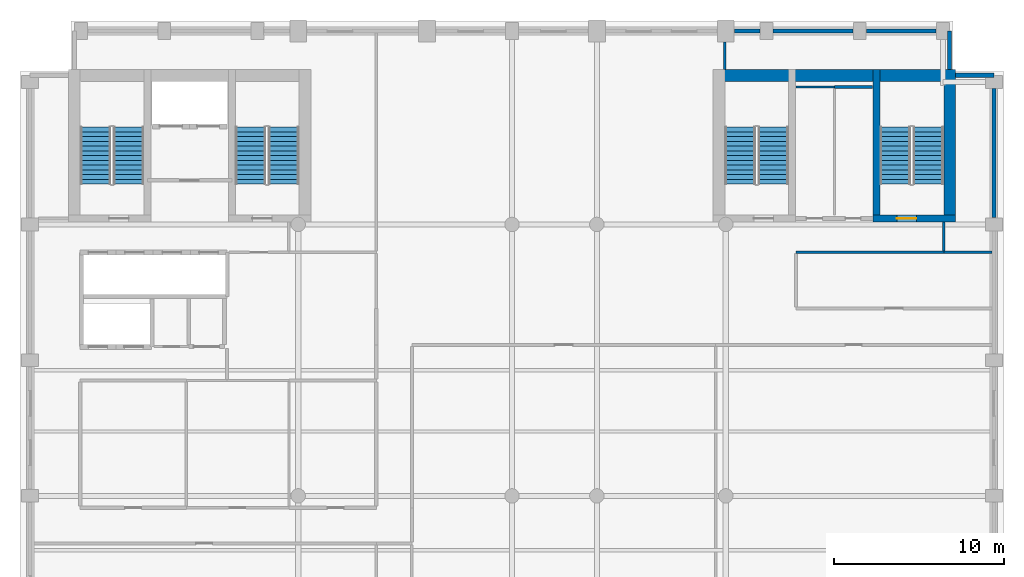
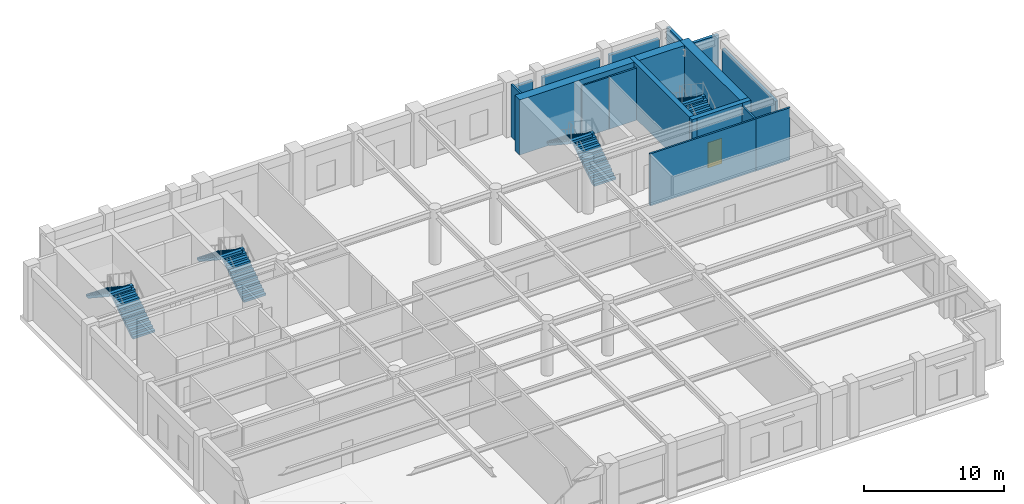
# One storey, part 7 of 10: 16 walls, 8 stair flights, 1 door, 1 opening, 4 elements without a shape of their own.
"""IFC4 building model written with IfcOpenShell, lengths in metres."""

import ifcopenshell
import ifcopenshell.guid

model = None  # the IFC model being written
_history = None  # IfcOwnerHistory: only IFC2X3 demands one
_inside = {}  # id of a spatial element -> (the spatial element, [elements in it])
_under = {}  # id of a project, library or spatial element -> (it, [spatial elements below it])
_declared = {}  # id of a project -> (the project, [libraries it declares])
_typed = {}  # id of a type object -> (the type object, [elements of that type])
_made_of = {}  # id of a material, layer set ... -> (it, [elements and type objects made of it])


def new_model(schema):
    """Start an empty IFC model of exactly this schema.

    Asked for "IFC4X3", IfcOpenShell would pick the latest addendum, in which some entities
    have other attributes; the version numbers below select the first issue.
    IFC2X3 requires an IfcOwnerHistory on every rooted entity: one is made here for all.
    """
    global model, _history
    if schema == "IFC4X3":
        model = ifcopenshell.file(schema_version=(4, 3, 0, 0))
    else:
        model = ifcopenshell.file(schema=schema)
    _inside.clear()
    _under.clear()
    _declared.clear()
    _typed.clear()
    _made_of.clear()
    _history = None
    if model.schema == "IFC2X3":
        org = make("IfcOrganization", Name="unknown")
        user = make(
            "IfcPersonAndOrganization",
            ThePerson=make("IfcPerson", FamilyName="unknown"),
            TheOrganization=org,
        )
        app = make(
            "IfcApplication",
            ApplicationDeveloper=org,
            Version="unknown",
            ApplicationFullName="unknown",
            ApplicationIdentifier="unknown",
        )
        _history = make(
            "IfcOwnerHistory",
            OwningUser=user,
            OwningApplication=app,
            ChangeAction="ADDED",
            CreationDate=0,
        )
    return model


def make(cls, **values):
    """One entity of the class cls with the attributes given. An attribute that is None is left unset."""
    return model.create_entity(
        cls, **{name: value for name, value in values.items() if value is not None}
    )


def rooted(cls, **values):
    """An entity with a GlobalId (a new one), such as an element, a storey or a relation."""
    return make(cls, GlobalId=ifcopenshell.guid.new(), OwnerHistory=_history, **values)


def si_unit(unit_type, name, prefix=None):
    """IfcSIUnit, for example si_unit("LENGTHUNIT", "METRE", prefix="MILLI")."""
    return make("IfcSIUnit", UnitType=unit_type, Prefix=prefix, Name=name)


def assignment(units):
    """IfcUnitAssignment: the units of a project."""
    return None if units is None else make("IfcUnitAssignment", Units=units)


def point(xyz):
    """IfcCartesianPoint."""
    return None if xyz is None else make("IfcCartesianPoint", Coordinates=xyz)


def direction(xyz):
    """IfcDirection."""
    return None if xyz is None else make("IfcDirection", DirectionRatios=xyz)


def frame(location, z_axis=None, x_axis=None):
    """IfcAxis2Placement3D, a coordinate frame: its origin and axes. An axis left out is left unset."""
    return make(
        "IfcAxis2Placement3D",
        Location=point(location),
        Axis=direction(z_axis),
        RefDirection=direction(x_axis),
    )


def frame_2d(location, x_axis=None):
    """IfcAxis2Placement2D, a coordinate frame in the plane: its origin and x axis."""
    return make(
        "IfcAxis2Placement2D", Location=point(location), RefDirection=direction(x_axis)
    )


def origin():
    """The frame at (0, 0, 0) with its axes left unset."""
    return frame((0.0, 0.0, 0.0))


def place(relative_to, where):
    """IfcLocalPlacement: puts the frame where relative to a parent placement (None: the world)."""
    return make(
        "IfcLocalPlacement", PlacementRelTo=relative_to, RelativePlacement=where
    )


def context(
    kind, dimensions, precision=None, world=None, true_north=None, identifier=None
):
    """IfcGeometricRepresentationContext, for example the 3D "Model" context."""
    return make(
        "IfcGeometricRepresentationContext",
        ContextIdentifier=identifier,
        ContextType=kind,
        CoordinateSpaceDimension=dimensions,
        Precision=precision,
        WorldCoordinateSystem=world,
        TrueNorth=true_north,
    )


def subcontext(parent, identifier, kind, view, scale=None):
    """IfcGeometricRepresentationSubContext, for example "Body" below "Model"."""
    return make(
        "IfcGeometricRepresentationSubContext",
        ContextIdentifier=identifier,
        ContextType=kind,
        ParentContext=parent,
        TargetScale=scale,
        TargetView=view,
    )


def project(units=None, contexts=None):
    """IfcProject with its units and contexts."""
    return rooted(
        "IfcProject",
        Name="project",
        RepresentationContexts=contexts,
        UnitsInContext=assignment(units),
    )


def spatial(cls, under=None, at=None, **own):
    """A site, building, storey or space (cls), placed at a placement, below another one or the project."""
    s = rooted(cls, ObjectPlacement=at, **own)
    if under is not None:
        _under.setdefault(under.id(), (under, []))[1].append(s)
    return s


def polyline(points):
    """IfcPolyline through the points."""
    return make("IfcPolyline", Points=[point(p) for p in points])


def profile(cls, at=None, kind="AREA", **sizes):
    """A parametric profile (cls). Its sizes go by their IFC names, for example OverallWidth=200.0."""
    return make(cls, ProfileType=kind, Position=at, **sizes)


def rectangle(**sizes):
    """IfcRectangleProfileDef."""
    return profile("IfcRectangleProfileDef", **sizes)


def outline(outer, holes=None, kind="AREA"):
    """IfcArbitraryClosedProfileDef: a profile drawn as a closed curve; with holes, ...WithVoids."""
    if holes is None:
        return make("IfcArbitraryClosedProfileDef", ProfileType=kind, OuterCurve=outer)
    return make(
        "IfcArbitraryProfileDefWithVoids",
        ProfileType=kind,
        OuterCurve=outer,
        InnerCurves=holes,
    )


def extrude(swept, where, along, depth):
    """IfcExtrudedAreaSolid: the profile swept, set in the frame where, extruded along a direction by depth."""
    return make(
        "IfcExtrudedAreaSolid",
        SweptArea=swept,
        Position=where,
        ExtrudedDirection=direction(along),
        Depth=depth,
    )


def shape(context_of_items, identifier, shape_type, items):
    """IfcShapeRepresentation: the items that make up one representation, for example the "Body"."""
    return make(
        "IfcShapeRepresentation",
        ContextOfItems=context_of_items,
        RepresentationIdentifier=identifier,
        RepresentationType=shape_type,
        Items=items,
    )


def material(Name=None, Category=None):
    """IfcMaterial."""
    return make("IfcMaterial", Name=Name, Category=Category)


def layer(
    of_material, thickness, ventilated=None, Name=None, Category=None, Priority=None
):
    """IfcMaterialLayer: one layer of a wall or slab, of a material (None: an air gap)."""
    return make(
        "IfcMaterialLayer",
        Material=of_material,
        LayerThickness=thickness,
        IsVentilated=ventilated,
        Name=Name,
        Category=Category,
        Priority=Priority,
    )


def layer_set(layers, Name=None):
    """IfcMaterialLayerSet."""
    return make("IfcMaterialLayerSet", MaterialLayers=layers, LayerSetName=Name)


def made_of(thing, what):
    """Note that an element or type object is made of a material, layer set ...; save() writes the relation."""
    if what is not None:
        _made_of.setdefault(what.id(), (what, []))[1].append(thing)
    return thing


def type_object(cls, material=None, **own):
    """A type object (cls), such as IfcWallType, which elements share."""
    return made_of(rooted(cls, **own), material)


def element(
    cls,
    number,
    at=None,
    inside=None,
    cuts=None,
    type_object=None,
    material=None,
    context=None,
    identifier="Body",
    shape_type=None,
    held_by="IfcProductDefinitionShape",
    body=None,
    shapes=None,
    **own,
):
    """One element of the class cls, such as IfcWall. Its Tag is "e" and its number.

    at: its placement. inside: the storey or other place that contains it. cuts: it is an
    opening in that element (IfcRelVoidsElement). A single representation is given by context,
    identifier, shape_type and body (its items); several are given by shapes. held_by: the class
    of the entity that holds the representations. save() writes the other relations.
    """
    e = rooted(cls, Tag="e%d" % number, ObjectPlacement=at, **own)
    if body is not None:
        shapes = [shape(context, identifier, shape_type, body)]
    if shapes is not None:
        e.Representation = make(held_by, Representations=shapes)
    if inside is not None:
        _inside.setdefault(inside.id(), (inside, []))[1].append(e)
    if cuts is not None:
        rooted(
            "IfcRelVoidsElement", RelatingBuildingElement=cuts, RelatedOpeningElement=e
        )
    if type_object is not None:
        _typed.setdefault(type_object.id(), (type_object, []))[1].append(e)
    return made_of(e, material)


def fill(opening, filler):
    """IfcRelFillsElement: the door or window that sits in an opening."""
    return rooted(
        "IfcRelFillsElement",
        RelatingOpeningElement=opening,
        RelatedBuildingElement=filler,
    )


def aggregate(whole, parts):
    """IfcRelAggregates: a whole, such as a stair, and the parts it consists of."""
    return rooted("IfcRelAggregates", RelatingObject=whole, RelatedObjects=parts)


def save(model, path):
    """Write the relations noted so far, then the file.

    IfcRelAggregates (storeys below a building ...), IfcRelContainedInSpatialStructure (elements
    in a storey), IfcRelDefinesByType, IfcRelAssociatesMaterial and IfcRelDeclares: one each for
    every whole, place, type object, material and project.
    """
    for whole, parts in _under.values():
        aggregate(whole, parts)
    for where, things in _inside.values():
        rooted(
            "IfcRelContainedInSpatialStructure",
            RelatedElements=things,
            RelatingStructure=where,
        )
    for kind, things in _typed.values():
        rooted("IfcRelDefinesByType", RelatedObjects=things, RelatingType=kind)
    for what, things in _made_of.values():
        rooted("IfcRelAssociatesMaterial", RelatedObjects=things, RelatingMaterial=what)
    for by, libraries in _declared.values():
        rooted("IfcRelDeclares", RelatingContext=by, RelatedDefinitions=libraries)
    model.write(path)


model = new_model("IFC4")

# Units and contexts
model_context = context("Model", 3, precision=1e-05, world=origin(), true_north=direction((0.0, 1.0)))
body_context = subcontext(model_context, "Body", "Model", "MODEL_VIEW")
ifc_project = project(units=[si_unit("LENGTHUNIT", "METRE"), si_unit("AREAUNIT", "SQUARE_METRE"), si_unit("VOLUMEUNIT", "CUBIC_METRE"), si_unit("PLANEANGLEUNIT", "RADIAN"), si_unit("MASSUNIT", "GRAM", prefix="KILO")], contexts=[model_context])

# Site, building, storey
site_placement = place(None, origin())
site = spatial("IfcSite", under=ifc_project, at=site_placement, CompositionType="ELEMENT")
building_placement = place(site_placement, origin())
building = spatial("IfcBuilding", under=site, at=building_placement, Name="Sulina Concourse Tower", CompositionType="ELEMENT")
storey_placement = place(building_placement, frame((0.0, 0.0, 243.800048828125)))
storey = spatial("IfcBuildingStorey", under=building, at=storey_placement, Name="L59", CompositionType="ELEMENT", Elevation=243.800048828125)

# Walls
ifc_material_1 = material(Name="Precast concrete C50/60", Category="concrete")
ifc_layer_1 = layer(ifc_material_1, 0.239990234375)
ifc_layer_set_1 = layer_set([ifc_layer_1], Name="Precast concrete C50/60")
wall_type_1 = type_object("IfcWallType", Name="Crown Precast Masonry-Frame Facade Wall 240mm", PredefinedType="SOLIDWALL", material=ifc_layer_set_1)
wall_1_placement = place(storey_placement, frame((42.1201171875, 45.39990234375, 0.0), z_axis=(0.0, 0.0, 1.0), x_axis=(1.0, 0.0, 0.0)))
element("IfcWall", 1, at=wall_1_placement, inside=storey, type_object=wall_type_1, Name="L59 exterior precast wall N8", PredefinedType="SOLIDWALL", context=body_context, shape_type="SweptSolid", body=[
    extrude(rectangle(XDim=1.48486328125, YDim=0.239990234375, at=frame_2d((0.742431640625, 0.0))), origin(), (0.0, 0.0, 1.0), 3.800048828125),
])
wall_2_placement = place(storey_placement, frame((44.39501953125, 45.39990234375, 0.0), z_axis=(0.0, 0.0, 1.0), x_axis=(1.0, 0.0, 0.0)))
element("IfcWall", 2, at=wall_2_placement, inside=storey, type_object=wall_type_1, Name="L59 exterior precast wall N9", PredefinedType="SOLIDWALL", context=body_context, shape_type="SweptSolid", body=[
    extrude(rectangle(XDim=4.7099609375, YDim=0.239990234375, at=frame_2d((2.35498046875, 0.0))), origin(), (0.0, 0.0, 1.0), 3.800048828125),
])
wall_3_placement = place(storey_placement, frame((49.89501953125, 45.39990234375, 0.0), z_axis=(0.0, 0.0, 1.0), x_axis=(1.0, 0.0, 0.0)))
element("IfcWall", 3, at=wall_3_placement, inside=storey, type_object=wall_type_1, Name="L59 exterior precast wall N10", PredefinedType="SOLIDWALL", context=body_context, shape_type="SweptSolid", body=[
    extrude(rectangle(XDim=4.10986328125, YDim=0.239990234375, at=frame_2d((2.054931640625, 0.0))), origin(), (0.0, 0.0, 1.0), 3.800048828125),
])
wall_4_placement = place(storey_placement, frame((57.39990234375, 42.0048828125, 0.0), z_axis=(0.0, 0.0, 1.0), x_axis=(0.0, -1.0, 0.0)))
element("IfcWall", 4, at=wall_4_placement, inside=storey, type_object=wall_type_1, Name="L59 exterior precast wall E5", PredefinedType="SOLIDWALL", context=body_context, shape_type="SweptSolid", body=[
    extrude(rectangle(XDim=7.60986328125, YDim=0.239990234375, at=frame_2d((3.804931640625, 0.0))), origin(), (0.0, 0.0, 1.0), 3.800048828125),
])
wall_5_placement = place(storey_placement, frame((54.794921875, 45.39990234375, 0.0), z_axis=(0.0, 0.0, 1.0), x_axis=(0.0, -1.0, 0.0)))
element("IfcWall", 5, at=wall_5_placement, inside=storey, type_object=wall_type_1, Name="L59 exterior precast wall CNE1", PredefinedType="SOLIDWALL", context=body_context, shape_type="SweptSolid", body=[
    extrude(rectangle(XDim=2.264892578125, YDim=0.239990234375, at=frame_2d((1.13232421875, 0.0))), origin(), (0.0, 0.0, 1.0), 4.550048828125),
])
wall_6_placement = place(storey_placement, frame((55.155029296875, 42.794921875, 0.0), z_axis=(0.0, 0.0, 1.0), x_axis=(1.0, 0.0, 0.0)))
element("IfcWall", 6, at=wall_6_placement, inside=storey, type_object=wall_type_1, Name="L59 exterior precast wall CNE2", PredefinedType="SOLIDWALL", context=body_context, shape_type="SweptSolid", body=[
    extrude(rectangle(XDim=2.244873046875, YDim=0.239990234375, at=frame_2d((1.12255859375, 0.0))), origin(), (0.0, 0.0, 1.0), 4.550048828125),
])
ifc_material_2 = material(Name="Gypsum board on steel stud", Category="steel")
ifc_layer_2 = layer(ifc_material_2, 0.14990234375)
ifc_layer_set_2 = layer_set([ifc_layer_2], Name="Gypsum board on steel stud")
wall_type_2 = type_object("IfcWallType", Name="Inter-Tenancy Acoustic Partition 150mm", PredefinedType="PARTITIONING", material=ifc_layer_set_2)
wall_7_placement = place(storey_placement, frame((45.75, 32.35009765625, 0.0), z_axis=(0.0, 0.0, 1.0), x_axis=(1.0, 0.0, 0.0)))
element("IfcWall", 7, at=wall_7_placement, inside=storey, type_object=wall_type_2, Name="L59 interior partition 017", PredefinedType="PARTITIONING", context=body_context, shape_type="SweptSolid", body=[
    extrude(rectangle(XDim=8.699951171875, YDim=0.14990234375, at=frame_2d((4.35009765625, 0.0))), origin(), (0.0, 0.0, 1.0), 4.550048828125),
])
wall_8_placement = place(storey_placement, frame((54.449951171875, 32.35009765625, 0.0), z_axis=(0.0, 0.0, 1.0), x_axis=(1.0, 0.0, 0.0)))
element("IfcWall", 8, at=wall_8_placement, inside=storey, type_object=wall_type_2, Name="L59 interior partition 018", PredefinedType="PARTITIONING", context=body_context, shape_type="SweptSolid", body=[
    extrude(rectangle(XDim=2.830078125, YDim=0.14990234375, at=frame_2d((1.4150390625, 0.0))), origin(), (0.0, 0.0, 1.0), 4.550048828125),
])
wall_9_placement = place(storey_placement, frame((48.0, 42.10009765625, 0.0), z_axis=(0.0, 0.0, 1.0), x_axis=(1.0, 0.0, 0.0)))
element("IfcWall", 9, at=wall_9_placement, inside=storey, type_object=wall_type_2, Name="L59 interior partition 021", PredefinedType="PARTITIONING", context=body_context, shape_type="SweptSolid", body=[
    extrude(rectangle(XDim=2.25, YDim=0.14990234375, at=frame_2d((1.125, 0.0))), origin(), (0.0, 0.0, 1.0), 4.550048828125),
])
wall_10_placement = place(storey_placement, frame((41.550048828125, 43.1298828125, 0.0), z_axis=(0.0, 0.0, 1.0), x_axis=(0.0, 1.0, 0.0)))
element("IfcWall", 10, at=wall_10_placement, inside=storey, type_object=wall_type_2, Name="L59 interior partition 039", PredefinedType="PARTITIONING", context=body_context, shape_type="SweptSolid", body=[
    extrude(rectangle(XDim=1.6201171875, YDim=0.14990234375, at=frame_2d((0.81005859375, 0.0))), origin(), (0.0, 0.0, 1.0), 4.550048828125),
])
wall_11_placement = place(storey_placement, frame((54.449951171875, 32.425048828125, 0.0), z_axis=(0.0, 0.0, 1.0), x_axis=(0.0, 1.0, 0.0)))
element("IfcWall", 11, at=wall_11_placement, inside=storey, type_object=wall_type_2, Name="L59 interior partition 042", PredefinedType="PARTITIONING", context=body_context, shape_type="SweptSolid", body=[
    extrude(rectangle(XDim=1.724853515625, YDim=0.14990234375, at=frame_2d((0.8623046875, 0.0))), origin(), (0.0, 0.0, 1.0), 4.550048828125),
])

# Wall, opening, door
ifc_material_3 = material(Name="Concrete C60/75", Category="concrete")
ifc_layer_3 = layer(ifc_material_3, 0.39990234375)
ifc_layer_set_3 = layer_set([ifc_layer_3], Name="Concrete C60/75")
wall_type_3 = type_object("IfcWallType", Name="Protected Stair Core Shear Wall 400mm", PredefinedType="SHEAR", material=ifc_layer_set_3)
wall_12_placement = place(storey_placement, frame((50.2900390625, 34.35009765625, 0.0), z_axis=(0.0, 0.0, 1.0), x_axis=(1.0, 0.0, 0.0)))
wall_12 = element("IfcWall", 12, at=wall_12_placement, inside=storey, type_object=wall_type_3, Name="L59 east core shear wall CW-ES2", PredefinedType="SHEAR", context=body_context, shape_type="SweptSolid", body=[
    extrude(rectangle(XDim=4.85986328125, YDim=0.39990234375, at=frame_2d((2.429931640625, 0.0))), origin(), (0.0, 0.0, 1.0), 4.800048828125),
])
opening_placement = place(wall_12_placement, frame((1.39990234375, 0.0, 0.0)))
opening = element("IfcOpeningElement", 13, at=opening_placement, cuts=wall_12, Name="Opening DR-60", PredefinedType="OPENING", context=body_context, shape_type="SweptSolid", body=[
    extrude(rectangle(XDim=1.14990234375, YDim=2.199951171875, at=frame_2d((0.574951171875, 1.10009765625))), frame((0.0, 0.2099609375, 0.0), z_axis=(0.0, -1.0, 0.0), x_axis=(1.0, 0.0, 0.0)), (0.0, 0.0, 1.0), 0.419921875),
])
ifc_material_4 = material(Name="Galvanised steel acoustic fire leaf", Category="steel")
ifc_layer_4 = layer(ifc_material_4, 0.054931640625)
ifc_layer_set_4 = layer_set([ifc_layer_4], Name="Galvanised steel acoustic fire leaf")
door_type = type_object("IfcDoorType", Name="Protected Exit Stair Fire Door 1150x2200", OperationType="NOTDEFINED", PredefinedType="DOOR", material=ifc_layer_set_4)
door_placement = place(opening_placement, origin())
door = element("IfcDoor", 14, at=door_placement, inside=storey, type_object=door_type, Name="L59 stair ST-4 south lobby fire door", OperationType="SINGLE_SWING_RIGHT", OverallHeight=2.199951171875, OverallWidth=1.14990234375, PredefinedType="DOOR", context=body_context, shape_type="SweptSolid", body=[
    extrude(rectangle(XDim=1.14990234375, YDim=2.199951171875, at=frame_2d((0.574951171875, 1.10009765625))), frame((0.0, 0.02490234375, 0.0), z_axis=(0.0, -1.0, 0.0), x_axis=(1.0, 0.0, 0.0)), (0.0, 0.0, 1.0), 0.050048828125),
])
fill(opening, door)

# Walls
wall_13_placement = place(storey_placement, frame((50.489990234375, 34.14990234375, 0.0), z_axis=(0.0, 0.0, 1.0), x_axis=(0.0, 1.0, 0.0)))
element("IfcWall", 15, at=wall_13_placement, inside=storey, type_object=wall_type_3, Name="L59 east core shear wall SW-ST4", PredefinedType="SHEAR", context=body_context, shape_type="SweptSolid", body=[
    extrude(rectangle(XDim=8.97998046875, YDim=0.39990234375, at=frame_2d((4.489990234375, 0.0))), origin(), (0.0, 0.0, 1.0), 4.800048828125),
])
ifc_material_5 = material(Name="Concrete C60/75", Category="concrete")
ifc_layer_5 = layer(ifc_material_5, 0.699951171875)
ifc_layer_set_5 = layer_set([ifc_layer_5], Name="Concrete C60/75")
wall_type_4 = type_object("IfcWallType", Name="Rear Core Shear Wall 700mm", PredefinedType="SHEAR", material=ifc_layer_set_5)
wall_14_placement = place(storey_placement, frame((40.85009765625, 42.780029296875, 0.0), z_axis=(0.0, 0.0, 1.0), x_axis=(1.0, 0.0, 0.0)))
element("IfcWall", 16, at=wall_14_placement, inside=storey, type_object=wall_type_4, Name="L59 east core shear wall CW-EN", PredefinedType="SHEAR", context=body_context, shape_type="SweptSolid", body=[
    extrude(rectangle(XDim=14.2998046875, YDim=0.699951171875, at=frame_2d((7.14990234375, 0.0))), origin(), (0.0, 0.0, 1.0), 4.800048828125),
])
wall_15_placement = place(storey_placement, frame((54.800048828125, 34.14990234375, 0.0), z_axis=(0.0, 0.0, 1.0), x_axis=(0.0, 1.0, 0.0)))
element("IfcWall", 17, at=wall_15_placement, inside=storey, type_object=wall_type_4, Name="L59 east core shear wall CW-EE", PredefinedType="SHEAR", context=body_context, shape_type="SweptSolid", body=[
    extrude(rectangle(XDim=8.97998046875, YDim=0.699951171875, at=frame_2d((4.489990234375, 0.0))), origin(), (0.0, 0.0, 1.0), 4.800048828125),
])
ifc_material_6 = material(Name="Gypsum board on steel stud", Category="steel")
ifc_layer_6 = layer(ifc_material_6, 0.125)
ifc_layer_set_6 = layer_set([ifc_layer_6], Name="Gypsum board on steel stud")
wall_type_5 = type_object("IfcWallType", Name="Wet-Area Moisture-Resistant Partition 125mm", PredefinedType="PARTITIONING", material=ifc_layer_set_6)
wall_16_placement = place(storey_placement, frame((45.75, 42.10009765625, 0.0), z_axis=(0.0, 0.0, 1.0), x_axis=(1.0, 0.0, 0.0)))
element("IfcWall", 18, at=wall_16_placement, inside=storey, type_object=wall_type_5, Name="L59 interior partition 020", PredefinedType="PARTITIONING", context=body_context, shape_type="SweptSolid", body=[
    extrude(rectangle(XDim=2.25, YDim=0.125, at=frame_2d((1.125, 0.0))), origin(), (0.0, 0.0, 1.0), 4.550048828125),
])

# Stair, stair flights
ifc_material_7 = material(Name="Concrete C50/60", Category="concrete")
stair_type_1 = type_object("IfcStairType", Name="Portal & Podium Core Exit Stair 1820mm", PredefinedType="HALF_TURN_STAIR", material=ifc_material_7)
stair_1_placement = place(storey_placement, origin())
stair_1 = element("IfcStair", 19, at=stair_1_placement, inside=storey, type_object=stair_type_1, Name="L59 ST-3", PredefinedType="HALF_TURN_STAIR")
ifc_material_8 = material(Name="Concrete C50/60", Category="concrete")
stair_flight_type_1 = type_object("IfcStairFlightType", Name="Portal & Podium Core Exit Stair 1820mm Flight", PredefinedType="STRAIGHT", material=ifc_material_8)
stair_flight_1_placement = place(storey_placement, frame((44.405029296875, 36.375, 0.0), z_axis=(0.0, 0.0, 1.0), x_axis=(0.0, 1.0, 0.0)))
stair_flight_1 = element("IfcStairFlight", 20, at=stair_flight_1_placement, type_object=stair_flight_type_1, Name="ST-3 flight 1", NumberOfRisers=13, NumberOfTreads=12, PredefinedType="STRAIGHT", RiserHeight=0.184615385, TreadLength=0.28, context=body_context, shape_type="SweptSolid", body=[
    extrude(outline(polyline([(0.0, 0.0), (0.0, 0.1845703125), (0.280029296875, 0.1845703125), (0.280029296875, 0.369140625), (0.56005859375, 0.369140625), (0.56005859375, 0.553955078125), (0.840087890625, 0.553955078125), (0.840087890625, 0.738525390625), (1.1201171875, 0.738525390625), (1.1201171875, 0.923095703125), (1.39990234375, 0.923095703125), (1.39990234375, 1.107666015625), (1.679931640625, 1.107666015625), (1.679931640625, 1.292236328125), (1.9599609375, 1.292236328125), (1.9599609375, 1.476806640625), (2.239990234375, 1.476806640625), (2.239990234375, 1.66162109375), (2.52001953125, 1.66162109375), (2.52001953125, 1.84619140625), (2.800048828125, 1.84619140625), (2.800048828125, 2.03076171875), (3.080078125, 2.03076171875), (3.080078125, 2.21533203125), (3.360107421875, 2.21533203125), (3.360107421875, 2.39990234375), (3.360107421875, 1.999755859375), (0.326904296875, 0.0), (0.0, 0.0)])), frame((0.0, 0.89990234375, 0.0), z_axis=(0.0, -1.0, 0.0), x_axis=(1.0, 0.0, 0.0)), (0.0, 0.0, 1.0), 1.800048828125),
])
stair_flight_2_placement = place(storey_placement, frame((42.455078125, 39.735107421875, 2.39990234375), z_axis=(0.0, 0.0, 1.0), x_axis=(0.0, -1.0, 0.0)))
stair_flight_2 = element("IfcStairFlight", 21, at=stair_flight_2_placement, type_object=stair_flight_type_1, Name="ST-3 flight 2", NumberOfRisers=13, NumberOfTreads=12, PredefinedType="STRAIGHT", RiserHeight=0.184615385, TreadLength=0.28, context=body_context, shape_type="SweptSolid", body=[
    extrude(outline(polyline([(0.0, 0.0), (0.0, 0.1845703125), (0.280029296875, 0.1845703125), (0.280029296875, 0.369140625), (0.56005859375, 0.369140625), (0.56005859375, 0.553955078125), (0.840087890625, 0.553955078125), (0.840087890625, 0.738525390625), (1.1201171875, 0.738525390625), (1.1201171875, 0.923095703125), (1.39990234375, 0.923095703125), (1.39990234375, 1.107666015625), (1.679931640625, 1.107666015625), (1.679931640625, 1.292236328125), (1.9599609375, 1.292236328125), (1.9599609375, 1.476806640625), (2.239990234375, 1.476806640625), (2.239990234375, 1.66162109375), (2.52001953125, 1.66162109375), (2.52001953125, 1.84619140625), (2.800048828125, 1.84619140625), (2.800048828125, 2.03076171875), (3.080078125, 2.03076171875), (3.080078125, 2.21533203125), (3.360107421875, 2.21533203125), (3.360107421875, 2.39990234375), (3.360107421875, 1.999755859375), (0.326904296875, 0.0), (0.0, 0.0)])), frame((0.0, 0.89990234375, 0.0), z_axis=(0.0, -1.0, 0.0), x_axis=(1.0, 0.0, 0.0)), (0.0, 0.0, 1.0), 1.800048828125),
])
aggregate(stair_1, [stair_flight_1, stair_flight_2])

stair_2_placement = place(storey_placement, origin())
stair_2 = element("IfcStair", 22, at=stair_2_placement, inside=storey, type_object=stair_type_1, Name="L59 ST-4", PredefinedType="HALF_TURN_STAIR")
stair_flight_3_placement = place(storey_placement, frame((53.544921875, 36.375, 0.0), z_axis=(0.0, 0.0, 1.0), x_axis=(0.0, 1.0, 0.0)))
stair_flight_3 = element("IfcStairFlight", 23, at=stair_flight_3_placement, type_object=stair_flight_type_1, Name="ST-4 flight 1", NumberOfRisers=13, NumberOfTreads=12, PredefinedType="STRAIGHT", RiserHeight=0.184615385, TreadLength=0.28, context=body_context, shape_type="SweptSolid", body=[
    extrude(outline(polyline([(0.0, 0.0), (0.0, 0.1845703125), (0.280029296875, 0.1845703125), (0.280029296875, 0.369140625), (0.56005859375, 0.369140625), (0.56005859375, 0.553955078125), (0.840087890625, 0.553955078125), (0.840087890625, 0.738525390625), (1.1201171875, 0.738525390625), (1.1201171875, 0.923095703125), (1.39990234375, 0.923095703125), (1.39990234375, 1.107666015625), (1.679931640625, 1.107666015625), (1.679931640625, 1.292236328125), (1.9599609375, 1.292236328125), (1.9599609375, 1.476806640625), (2.239990234375, 1.476806640625), (2.239990234375, 1.66162109375), (2.52001953125, 1.66162109375), (2.52001953125, 1.84619140625), (2.800048828125, 1.84619140625), (2.800048828125, 2.03076171875), (3.080078125, 2.03076171875), (3.080078125, 2.21533203125), (3.360107421875, 2.21533203125), (3.360107421875, 2.39990234375), (3.360107421875, 1.999755859375), (0.326904296875, 0.0), (0.0, 0.0)])), frame((0.0, 0.89990234375, 0.0), z_axis=(0.0, -1.0, 0.0), x_axis=(1.0, 0.0, 0.0)), (0.0, 0.0, 1.0), 1.800048828125),
])
stair_flight_4_placement = place(storey_placement, frame((51.594970703125, 39.735107421875, 2.39990234375), z_axis=(0.0, 0.0, 1.0), x_axis=(0.0, -1.0, 0.0)))
stair_flight_4 = element("IfcStairFlight", 24, at=stair_flight_4_placement, type_object=stair_flight_type_1, Name="ST-4 flight 2", NumberOfRisers=13, NumberOfTreads=12, PredefinedType="STRAIGHT", RiserHeight=0.184615385, TreadLength=0.28, context=body_context, shape_type="SweptSolid", body=[
    extrude(outline(polyline([(0.0, 0.0), (0.0, 0.1845703125), (0.280029296875, 0.1845703125), (0.280029296875, 0.369140625), (0.56005859375, 0.369140625), (0.56005859375, 0.553955078125), (0.840087890625, 0.553955078125), (0.840087890625, 0.738525390625), (1.1201171875, 0.738525390625), (1.1201171875, 0.923095703125), (1.39990234375, 0.923095703125), (1.39990234375, 1.107666015625), (1.679931640625, 1.107666015625), (1.679931640625, 1.292236328125), (1.9599609375, 1.292236328125), (1.9599609375, 1.476806640625), (2.239990234375, 1.476806640625), (2.239990234375, 1.66162109375), (2.52001953125, 1.66162109375), (2.52001953125, 1.84619140625), (2.800048828125, 1.84619140625), (2.800048828125, 2.03076171875), (3.080078125, 2.03076171875), (3.080078125, 2.21533203125), (3.360107421875, 2.21533203125), (3.360107421875, 2.39990234375), (3.360107421875, 1.999755859375), (0.326904296875, 0.0), (0.0, 0.0)])), frame((0.0, 0.89990234375, 0.0), z_axis=(0.0, -1.0, 0.0), x_axis=(1.0, 0.0, 0.0)), (0.0, 0.0, 1.0), 1.800048828125),
])
aggregate(stair_2, [stair_flight_3, stair_flight_4])

ifc_material_9 = material(Name="Concrete C50/60", Category="concrete")
stair_type_2 = type_object("IfcStairType", Name="Primary Core Dog-Leg Exit Stair 1800mm", PredefinedType="HALF_TURN_STAIR", material=ifc_material_9)
stair_3_placement = place(storey_placement, origin())
stair_3 = element("IfcStair", 25, at=stair_3_placement, inside=storey, type_object=stair_type_2, Name="L59 ST-1", PredefinedType="HALF_TURN_STAIR")
ifc_material_10 = material(Name="Concrete C50/60", Category="concrete")
stair_flight_type_2 = type_object("IfcStairFlightType", Name="Primary Core Dog-Leg Exit Stair 1800mm Flight", PredefinedType="STRAIGHT", material=ifc_material_10)
stair_flight_5_placement = place(storey_placement, frame((6.405029296875, 36.375, 0.0), z_axis=(0.0, 0.0, 1.0), x_axis=(0.0, 1.0, 0.0)))
stair_flight_5 = element("IfcStairFlight", 26, at=stair_flight_5_placement, type_object=stair_flight_type_2, Name="ST-1 flight 1", NumberOfRisers=13, NumberOfTreads=12, PredefinedType="STRAIGHT", RiserHeight=0.184615385, TreadLength=0.28, context=body_context, shape_type="SweptSolid", body=[
    extrude(outline(polyline([(0.0, 0.0), (0.0, 0.1845703125), (0.280029296875, 0.1845703125), (0.280029296875, 0.369140625), (0.56005859375, 0.369140625), (0.56005859375, 0.553955078125), (0.840087890625, 0.553955078125), (0.840087890625, 0.738525390625), (1.1201171875, 0.738525390625), (1.1201171875, 0.923095703125), (1.39990234375, 0.923095703125), (1.39990234375, 1.107666015625), (1.679931640625, 1.107666015625), (1.679931640625, 1.292236328125), (1.9599609375, 1.292236328125), (1.9599609375, 1.476806640625), (2.239990234375, 1.476806640625), (2.239990234375, 1.66162109375), (2.52001953125, 1.66162109375), (2.52001953125, 1.84619140625), (2.800048828125, 1.84619140625), (2.800048828125, 2.03076171875), (3.080078125, 2.03076171875), (3.080078125, 2.21533203125), (3.360107421875, 2.21533203125), (3.360107421875, 2.39990234375), (3.360107421875, 1.999755859375), (0.326904296875, 0.0), (0.0, 0.0)])), frame((0.0, 0.89990234375, 0.0), z_axis=(0.0, -1.0, 0.0), x_axis=(1.0, 0.0, 0.0)), (0.0, 0.0, 1.0), 1.800048828125),
])
stair_flight_6_placement = place(storey_placement, frame((4.455078125, 39.735107421875, 2.39990234375), z_axis=(0.0, 0.0, 1.0), x_axis=(0.0, -1.0, 0.0)))
stair_flight_6 = element("IfcStairFlight", 27, at=stair_flight_6_placement, type_object=stair_flight_type_2, Name="ST-1 flight 2", NumberOfRisers=13, NumberOfTreads=12, PredefinedType="STRAIGHT", RiserHeight=0.184615385, TreadLength=0.28, context=body_context, shape_type="SweptSolid", body=[
    extrude(outline(polyline([(0.0, 0.0), (0.0, 0.1845703125), (0.280029296875, 0.1845703125), (0.280029296875, 0.369140625), (0.56005859375, 0.369140625), (0.56005859375, 0.553955078125), (0.840087890625, 0.553955078125), (0.840087890625, 0.738525390625), (1.1201171875, 0.738525390625), (1.1201171875, 0.923095703125), (1.39990234375, 0.923095703125), (1.39990234375, 1.107666015625), (1.679931640625, 1.107666015625), (1.679931640625, 1.292236328125), (1.9599609375, 1.292236328125), (1.9599609375, 1.476806640625), (2.239990234375, 1.476806640625), (2.239990234375, 1.66162109375), (2.52001953125, 1.66162109375), (2.52001953125, 1.84619140625), (2.800048828125, 1.84619140625), (2.800048828125, 2.03076171875), (3.080078125, 2.03076171875), (3.080078125, 2.21533203125), (3.360107421875, 2.21533203125), (3.360107421875, 2.39990234375), (3.360107421875, 1.999755859375), (0.326904296875, 0.0), (0.0, 0.0)])), frame((0.0, 0.89990234375, 0.0), z_axis=(0.0, -1.0, 0.0), x_axis=(1.0, 0.0, 0.0)), (0.0, 0.0, 1.0), 1.800048828125),
])
aggregate(stair_3, [stair_flight_5, stair_flight_6])

stair_4_placement = place(storey_placement, origin())
stair_4 = element("IfcStair", 28, at=stair_4_placement, inside=storey, type_object=stair_type_2, Name="L59 ST-2", PredefinedType="HALF_TURN_STAIR")
stair_flight_7_placement = place(storey_placement, frame((15.544921875, 36.375, 0.0), z_axis=(0.0, 0.0, 1.0), x_axis=(0.0, 1.0, 0.0)))
stair_flight_7 = element("IfcStairFlight", 29, at=stair_flight_7_placement, type_object=stair_flight_type_2, Name="ST-2 flight 1", NumberOfRisers=13, NumberOfTreads=12, PredefinedType="STRAIGHT", RiserHeight=0.184615385, TreadLength=0.28, context=body_context, shape_type="SweptSolid", body=[
    extrude(outline(polyline([(0.0, 0.0), (0.0, 0.1845703125), (0.280029296875, 0.1845703125), (0.280029296875, 0.369140625), (0.56005859375, 0.369140625), (0.56005859375, 0.553955078125), (0.840087890625, 0.553955078125), (0.840087890625, 0.738525390625), (1.1201171875, 0.738525390625), (1.1201171875, 0.923095703125), (1.39990234375, 0.923095703125), (1.39990234375, 1.107666015625), (1.679931640625, 1.107666015625), (1.679931640625, 1.292236328125), (1.9599609375, 1.292236328125), (1.9599609375, 1.476806640625), (2.239990234375, 1.476806640625), (2.239990234375, 1.66162109375), (2.52001953125, 1.66162109375), (2.52001953125, 1.84619140625), (2.800048828125, 1.84619140625), (2.800048828125, 2.03076171875), (3.080078125, 2.03076171875), (3.080078125, 2.21533203125), (3.360107421875, 2.21533203125), (3.360107421875, 2.39990234375), (3.360107421875, 1.999755859375), (0.326904296875, 0.0), (0.0, 0.0)])), frame((0.0, 0.89990234375, 0.0), z_axis=(0.0, -1.0, 0.0), x_axis=(1.0, 0.0, 0.0)), (0.0, 0.0, 1.0), 1.800048828125),
])
stair_flight_8_placement = place(storey_placement, frame((13.594970703125, 39.735107421875, 2.39990234375), z_axis=(0.0, 0.0, 1.0), x_axis=(0.0, -1.0, 0.0)))
stair_flight_8 = element("IfcStairFlight", 30, at=stair_flight_8_placement, type_object=stair_flight_type_2, Name="ST-2 flight 2", NumberOfRisers=13, NumberOfTreads=12, PredefinedType="STRAIGHT", RiserHeight=0.184615385, TreadLength=0.28, context=body_context, shape_type="SweptSolid", body=[
    extrude(outline(polyline([(0.0, 0.0), (0.0, 0.1845703125), (0.280029296875, 0.1845703125), (0.280029296875, 0.369140625), (0.56005859375, 0.369140625), (0.56005859375, 0.553955078125), (0.840087890625, 0.553955078125), (0.840087890625, 0.738525390625), (1.1201171875, 0.738525390625), (1.1201171875, 0.923095703125), (1.39990234375, 0.923095703125), (1.39990234375, 1.107666015625), (1.679931640625, 1.107666015625), (1.679931640625, 1.292236328125), (1.9599609375, 1.292236328125), (1.9599609375, 1.476806640625), (2.239990234375, 1.476806640625), (2.239990234375, 1.66162109375), (2.52001953125, 1.66162109375), (2.52001953125, 1.84619140625), (2.800048828125, 1.84619140625), (2.800048828125, 2.03076171875), (3.080078125, 2.03076171875), (3.080078125, 2.21533203125), (3.360107421875, 2.21533203125), (3.360107421875, 2.39990234375), (3.360107421875, 1.999755859375), (0.326904296875, 0.0), (0.0, 0.0)])), frame((0.0, 0.89990234375, 0.0), z_axis=(0.0, -1.0, 0.0), x_axis=(1.0, 0.0, 0.0)), (0.0, 0.0, 1.0), 1.800048828125),
])
aggregate(stair_4, [stair_flight_7, stair_flight_8])

save(model, "model.ifc")
